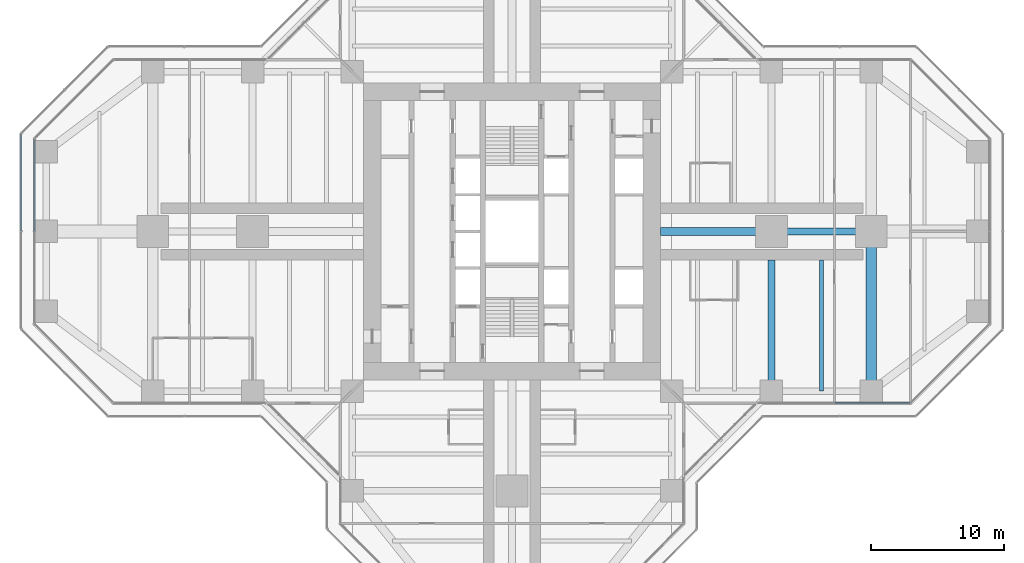
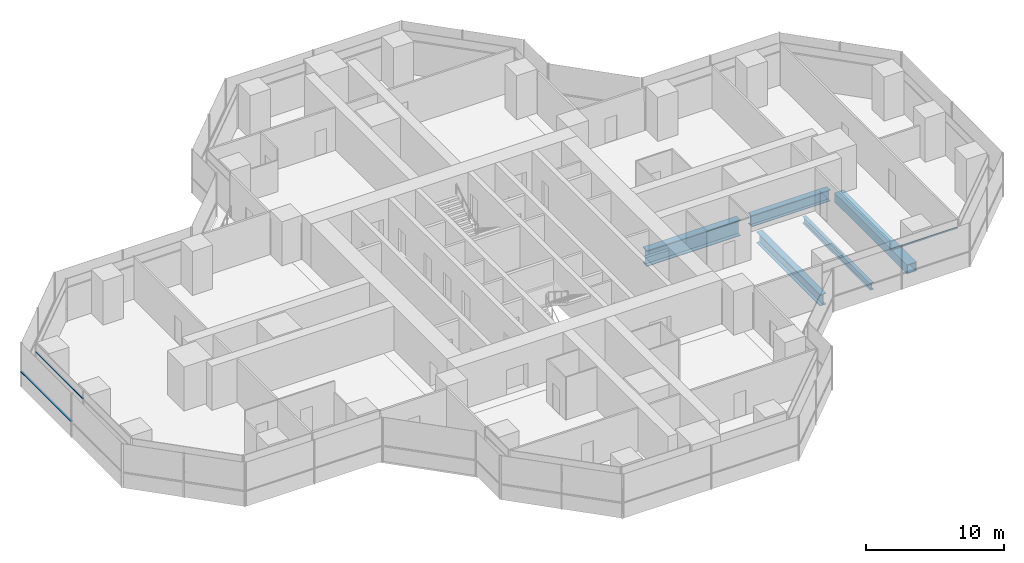
# One storey, part 6 of 19: 5 beams, 3 members, 3 elements without a shape of their own.
"""IFC4 building model written with IfcOpenShell, lengths in metres."""

from ifc_helpers import new_model, si_unit, direction, frame, origin, origin_2d, place, context, subcontext, project, spatial, rectangle, hollow_rectangle, i_section, extrude, material, material_profile, profile_set, type_object, element, aggregate, save


model = new_model("IFC4")

# Units and contexts
model_context = context("Model", 3, precision=1e-05, world=origin(), true_north=direction((0.0, 1.0)))
body_context = subcontext(model_context, "Body", "Model", "MODEL_VIEW")
ifc_project = project(units=[si_unit("LENGTHUNIT", "METRE"), si_unit("AREAUNIT", "SQUARE_METRE"), si_unit("VOLUMEUNIT", "CUBIC_METRE"), si_unit("PLANEANGLEUNIT", "RADIAN"), si_unit("MASSUNIT", "GRAM", prefix="KILO")], contexts=[model_context])

# Site, building, storey
site_placement = place(None, origin())
site = spatial("IfcSite", under=ifc_project, at=site_placement, CompositionType="ELEMENT")
building_placement = place(site_placement, origin())
building = spatial("IfcBuilding", under=site, at=building_placement, Name="Mizan Broadcast Tower", CompositionType="ELEMENT")
storey_placement = place(building_placement, frame((0.0, 0.0, 182.699951171875)))
storey = spatial("IfcBuildingStorey", under=building, at=storey_placement, Name="L42", CompositionType="ELEMENT", Elevation=182.699951171875)

# Beams
ifc_material_1 = material(Name="Steel S460", Category="steel")
ifc_material_profile_1 = material_profile(ifc_material_1, hollow_rectangle(XDim=0.800048828125, YDim=0.800048828125, WallThickness=0.050048828125, at=origin_2d()), Name="BOX 800x800x50")
ifc_profile_set_1 = profile_set([ifc_material_profile_1], Name="Steel S460")
beam_type_1 = type_object("IfcBeamType", Name="GIRDER BOX 800x800x50", PredefinedType="BEAM", material=ifc_profile_set_1)
beam_1_placement = place(storey_placement, frame((27.0, -11.280029296875, -0.530029296875), z_axis=(0.0, 1.0, 0.0), x_axis=(-1.0, 0.0, 0.0)))
element("IfcBeam", 1, at=beam_1_placement, inside=storey, type_object=beam_type_1, Name="Girder BOX 800x800x50 L42 east arm", PredefinedType="BEAM", context=body_context, shape_type="SweptSolid", body=[
    extrude(hollow_rectangle(XDim=0.800048828125, YDim=0.800048828125, WallThickness=0.050048828125, at=origin_2d()), origin(), (0.0, 0.0, 1.0), 10.56005859375),
])
ifc_material_2 = material(Name="Steel S460", Category="steel")
ifc_material_profile_2 = material_profile(ifc_material_2, i_section(OverallWidth=0.5, OverallDepth=1.0, WebThickness=0.02490234375, FlangeThickness=0.050048828125, at=origin_2d()), Name="WPG 1000x500")
ifc_profile_set_2 = profile_set([ifc_material_profile_2], Name="Steel S460")
beam_type_2 = type_object("IfcBeamType", Name="GIRDER WPG 1000x500", PredefinedType="BEAM", material=ifc_profile_set_2)
beam_2_placement = place(storey_placement, frame((19.949951171875, 0.0, -0.6298828125), z_axis=(1.0, 0.0, 0.0), x_axis=(0.0, 1.0, 0.0)))
element("IfcBeam", 2, at=beam_2_placement, inside=storey, type_object=beam_type_2, Name="Girder WPG 1000x500 L42 east arm", PredefinedType="BEAM", context=body_context, shape_type="SweptSolid", body=[
    extrude(i_section(OverallWidth=0.5, OverallDepth=1.0, WebThickness=0.02490234375, FlangeThickness=0.050048828125, at=origin_2d()), origin(), (0.0, 0.0, 1.0), 6.60009765625),
])
beam_3_placement = place(storey_placement, frame((19.5, -11.408935546875, -0.6298828125), z_axis=(0.0, 1.0, 0.0), x_axis=(-1.0, 0.0, 0.0)))
element("IfcBeam", 3, at=beam_3_placement, inside=storey, type_object=beam_type_2, Name="Girder WPG 1000x500 L42 east arm", PredefinedType="BEAM", context=body_context, shape_type="SweptSolid", body=[
    extrude(i_section(OverallWidth=0.5, OverallDepth=1.0, WebThickness=0.02490234375, FlangeThickness=0.050048828125, at=origin_2d()), origin(), (0.0, 0.0, 1.0), 9.259033203125),
])
ifc_material_3 = material(Name="Steel S460", Category="steel")
ifc_material_profile_3 = material_profile(ifc_material_3, i_section(OverallWidth=0.60009765625, OverallDepth=1.39990234375, WebThickness=0.02490234375, FlangeThickness=0.06005859375, at=origin_2d()), Name="WPG 1400x600")
ifc_profile_set_3 = profile_set([ifc_material_profile_3], Name="Steel S460")
beam_type_3 = type_object("IfcBeamType", Name="GIRDER WPG 1400x600", PredefinedType="BEAM", material=ifc_profile_set_3)
beam_4_placement = place(storey_placement, frame((11.14990234375, 0.0, -0.829833984375), z_axis=(1.0, 0.0, 0.0), x_axis=(0.0, 1.0, 0.0)))
element("IfcBeam", 4, at=beam_4_placement, inside=storey, type_object=beam_type_3, Name="Girder WPG 1400x600 L42 east arm", PredefinedType="BEAM", context=body_context, shape_type="SweptSolid", body=[
    extrude(i_section(OverallWidth=0.60009765625, OverallDepth=1.39990234375, WebThickness=0.02490234375, FlangeThickness=0.06005859375, at=origin_2d()), origin(), (0.0, 0.0, 1.0), 7.84912109375),
])

# Curtain wall, member
ifc_material_4 = material(Name="Aluminium framed glazing", Category="aluminium")
curtain_wall_type_1 = type_object("IfcCurtainWallType", Name="INNER SKIN MID ZONE", PredefinedType="USERDEFINED", material=ifc_material_4)
curtain_wall_1_placement = place(storey_placement, origin())
curtain_wall_1 = element("IfcCurtainWall", 5, at=curtain_wall_1_placement, inside=storey, type_object=curtain_wall_type_1, Name="Inner skin mid zone L42 E side", ObjectType="INNER SKIN MID ZONE", PredefinedType="USERDEFINED")
ifc_material_5 = material(Name="Aluminium, pale anodised", Category="aluminium")
ifc_material_profile_4 = material_profile(ifc_material_5, rectangle(XDim=0.1201171875, YDim=0.06005859375, at=origin_2d()), Name="TRANSOM 120x60")
ifc_profile_set_4 = profile_set([ifc_material_profile_4], Name="Aluminium, pale anodised")
member_type_1 = type_object("IfcMemberType", Name="INNER SKIN TRANSOM 60x120", PredefinedType="USERDEFINED", material=ifc_profile_set_4)
member_1_placement = place(storey_placement, frame((24.25927734375, -12.89990234375, 3.030029296875), z_axis=(1.0, 0.0, 0.0), x_axis=(0.0, 1.0, 0.0)))
member_1 = element("IfcMember", 6, at=member_1_placement, type_object=member_type_1, Name="Inner skin mid zone L42 E side transom 2.1", ObjectType="TRANSOM", PredefinedType="USERDEFINED", context=body_context, shape_type="SweptSolid", body=[
    extrude(rectangle(XDim=0.1201171875, YDim=0.06005859375, at=origin_2d()), origin(), (0.0, 0.0, 1.0), 5.639404296875),
])
aggregate(curtain_wall_1, [member_1])

curtain_wall_2_placement = place(storey_placement, origin())
curtain_wall_2 = element("IfcCurtainWall", 7, at=curtain_wall_2_placement, inside=storey, type_object=curtain_wall_type_1, Name="Inner skin mid zone L42 W end", ObjectType="INNER SKIN MID ZONE", PredefinedType="USERDEFINED")
member_2_placement = place(storey_placement, frame((-35.89990234375, 6.898681640625, 3.030029296875), z_axis=(0.0, -1.0, 0.0), x_axis=(1.0, 0.0, 0.0)))
member_2 = element("IfcMember", 8, at=member_2_placement, type_object=member_type_1, Name="Inner skin mid zone L42 W end transom 1.1", ObjectType="TRANSOM", PredefinedType="USERDEFINED", context=body_context, shape_type="SweptSolid", body=[
    extrude(rectangle(XDim=0.1201171875, YDim=0.06005859375, at=origin_2d()), origin(), (0.0, 0.0, 1.0), 6.86865234375),
])
aggregate(curtain_wall_2, [member_2])

ifc_material_6 = material(Name="Aluminium framed glazing", Category="aluminium")
curtain_wall_type_2 = type_object("IfcCurtainWallType", Name="OUTER SKIN", PredefinedType="USERDEFINED", material=ifc_material_6)
curtain_wall_3_placement = place(storey_placement, origin())
curtain_wall_3 = element("IfcCurtainWall", 9, at=curtain_wall_3_placement, inside=storey, type_object=curtain_wall_type_2, Name="Outer skin L42 W end", ObjectType="OUTER SKIN", PredefinedType="USERDEFINED")
ifc_material_7 = material(Name="Aluminium, pale anodised", Category="aluminium")
ifc_material_profile_5 = material_profile(ifc_material_7, rectangle(XDim=0.159912109375, YDim=0.06005859375, at=origin_2d()), Name="TRANSOM 160x60")
ifc_profile_set_5 = profile_set([ifc_material_profile_5], Name="Aluminium, pale anodised")
member_type_2 = type_object("IfcMemberType", Name="OUTER SKIN TRANSOM 60x160", PredefinedType="USERDEFINED", material=ifc_profile_set_5)
member_3_placement = place(storey_placement, frame((-36.89990234375, 7.292724609375, 1.400146484375), z_axis=(0.0, -1.0, 0.0), x_axis=(1.0, 0.0, 0.0)))
member_3 = element("IfcMember", 10, at=member_3_placement, type_object=member_type_2, Name="Outer skin L42 W end transom 1.1", ObjectType="TRANSOM", PredefinedType="USERDEFINED", context=body_context, shape_type="SweptSolid", body=[
    extrude(rectangle(XDim=0.159912109375, YDim=0.06005859375, at=origin_2d()), origin(), (0.0, 0.0, 1.0), 7.252685546875),
])
aggregate(curtain_wall_3, [member_3])

# Beam
ifc_material_8 = material(Name="Steel S355", Category="steel")
ifc_material_profile_6 = material_profile(ifc_material_8, i_section(OverallWidth=0.300048828125, OverallDepth=0.590087890625, WebThickness=0.012939453125, FlangeThickness=0.02490234375, FilletRadius=0.027099609375, at=origin_2d()), Name="HEA 600")
ifc_profile_set_6 = profile_set([ifc_material_profile_6], Name="Steel S355")
beam_type_4 = type_object("IfcBeamType", Name="SECONDARY BEAM HEA 600", PredefinedType="JOIST", material=ifc_profile_set_6)
beam_5_placement = place(storey_placement, frame((23.25, -12.0, -0.425048828125), z_axis=(0.0, 1.0, 0.0), x_axis=(-1.0, 0.0, 0.0)))
element("IfcBeam", 11, at=beam_5_placement, inside=storey, type_object=beam_type_4, Name="Secondary beam HEA 600 L42 east arm", PredefinedType="JOIST", context=body_context, shape_type="SweptSolid", body=[
    extrude(i_section(OverallWidth=0.300048828125, OverallDepth=0.590087890625, WebThickness=0.012939453125, FlangeThickness=0.02490234375, FilletRadius=0.027099609375, at=origin_2d()), origin(), (0.0, 0.0, 1.0), 9.85009765625),
])

save(model, "model.ifc")
